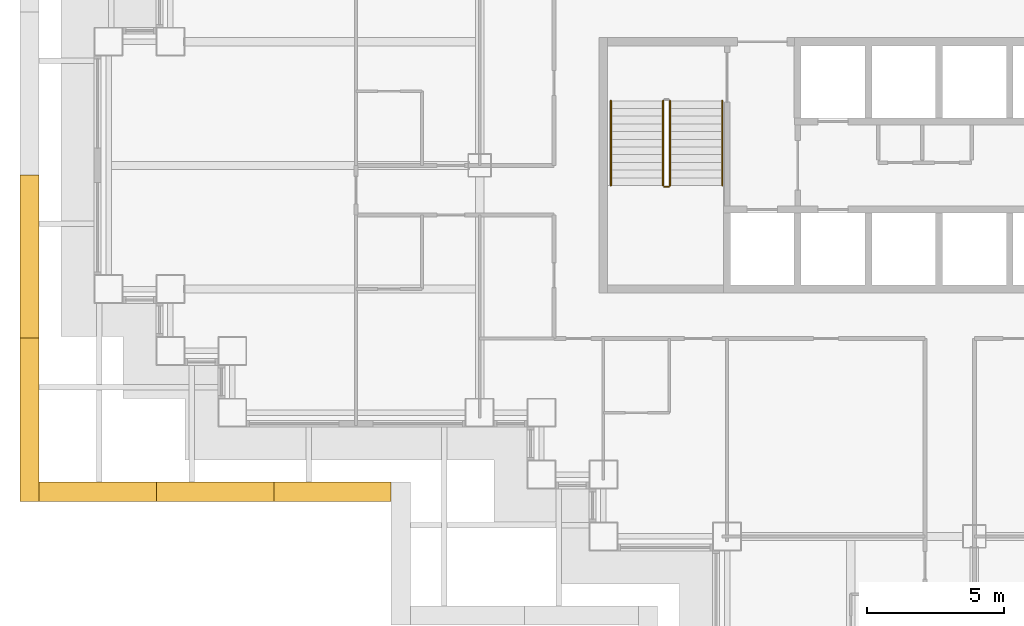
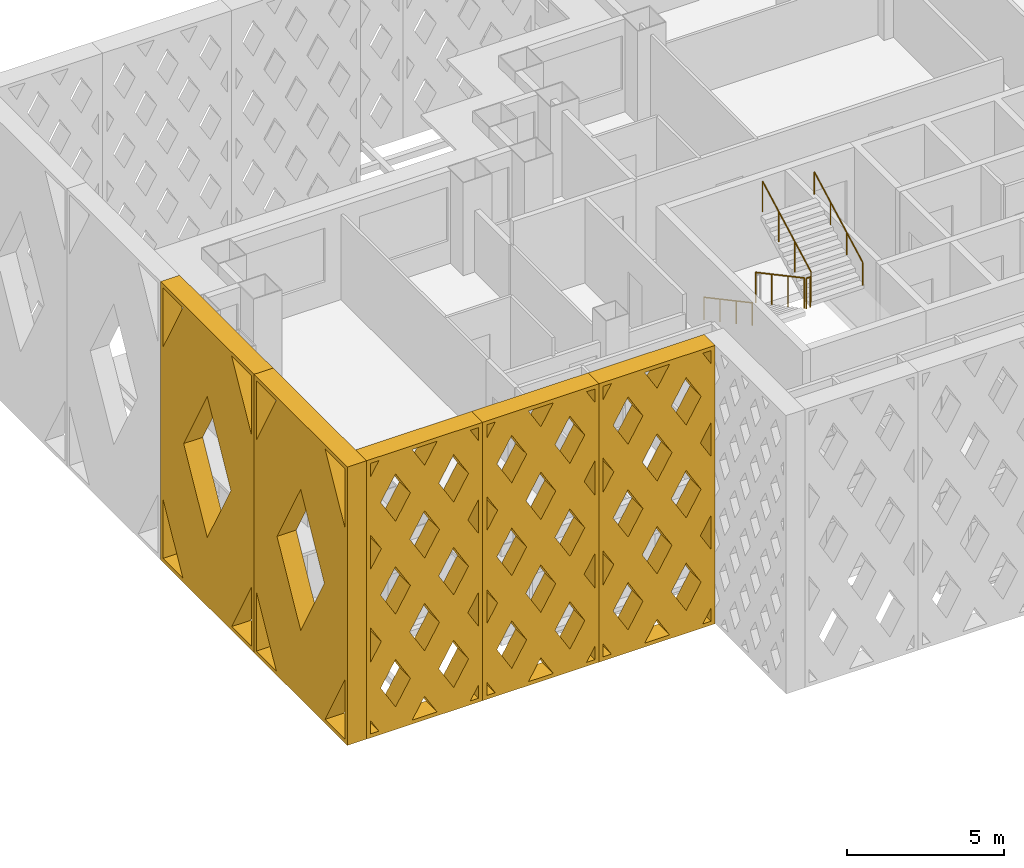
# One storey, part 14 of 19: 5 railings, 5 shading devices.
"""IFC4 building model written with IfcOpenShell, lengths in metres."""

from ifc_helpers import new_model, si_unit, direction, frame, origin, origin_2d, place, context, subcontext, project, spatial, polyline, circle, outline, extrude, material, type_object, element, save


model = new_model("IFC4")

# Units and contexts
model_context = context("Model", 3, precision=1e-05, world=origin(), true_north=direction((0.0, 1.0)))
body_context = subcontext(model_context, "Body", "Model", "MODEL_VIEW")
ifc_project = project(units=[si_unit("LENGTHUNIT", "METRE"), si_unit("AREAUNIT", "SQUARE_METRE"), si_unit("VOLUMEUNIT", "CUBIC_METRE"), si_unit("PLANEANGLEUNIT", "RADIAN"), si_unit("MASSUNIT", "GRAM", prefix="KILO")], contexts=[model_context])

# Site, building, storey
site_placement = place(None, origin())
site = spatial("IfcSite", under=ifc_project, at=site_placement, CompositionType="ELEMENT")
building_placement = place(site_placement, origin())
building = spatial("IfcBuilding", under=site, at=building_placement, Name="Caravel Reach Hotel and Residences", CompositionType="ELEMENT")
storey_placement = place(building_placement, frame((0.0, 0.0, 52.800048828125)))
storey = spatial("IfcBuildingStorey", under=building, at=storey_placement, Name="L11", CompositionType="ELEMENT", Elevation=52.800048828125)

# Shading devices
ifc_material_1 = material(Name="Black powder-coated aluminium", Category="aluminium")
shading_device_type_1 = type_object("IfcShadingDeviceType", Name="Diamond lattice screen panel 4267 x 10800", PredefinedType="USERDEFINED", material=ifc_material_1)
shading_device_1_placement = place(storey_placement, frame((-2.52490234375, 15.47509765625, 0.0), z_axis=(0.0, -1.0, 0.0), x_axis=(1.0, 0.0, 0.0)))
element("IfcShadingDevice", 1, at=shading_device_1_placement, inside=storey, type_object=shading_device_type_1, Name="Lattice screen L11-L13 18.1", ObjectType="SCREEN", PredefinedType="USERDEFINED", context=body_context, shape_type="SweptSolid", body=[
    extrude(outline(polyline([(0.0, 0.0), (4.2666015625, 0.0), (4.2666015625, 10.800048828125), (0.0, 10.800048828125), (0.0, 0.0)]), holes=[polyline([(0.457275390625, 0.14990234375), (0.14990234375, 0.66845703125), (0.14990234375, 0.14990234375), (0.457275390625, 0.14990234375)]), polyline([(0.546142578125, 3.60009765625), (0.14990234375, 4.2685546875), (0.14990234375, 2.931396484375), (0.546142578125, 3.60009765625)]), polyline([(0.546142578125, 7.199951171875), (0.14990234375, 7.868408203125), (0.14990234375, 6.531494140625), (0.546142578125, 7.199951171875)]), polyline([(0.14990234375, 10.131591796875), (0.457275390625, 10.64990234375), (0.14990234375, 10.64990234375), (0.14990234375, 10.131591796875)]), polyline([(1.066650390625, 2.7216796875), (0.5205078125, 1.800048828125), (1.066650390625, 0.87841796875), (1.61279296875, 1.800048828125), (1.066650390625, 2.7216796875)]), polyline([(1.066650390625, 6.321533203125), (0.5205078125, 5.39990234375), (1.066650390625, 4.478271484375), (1.61279296875, 5.39990234375), (1.066650390625, 6.321533203125)]), polyline([(1.066650390625, 9.921630859375), (0.5205078125, 9.0), (1.066650390625, 8.078369140625), (1.61279296875, 9.0), (1.066650390625, 9.921630859375)]), polyline([(2.13330078125, 0.921630859375), (1.676025390625, 0.14990234375), (2.590576171875, 0.14990234375), (2.13330078125, 0.921630859375)]), polyline([(2.13330078125, 4.521728515625), (1.587158203125, 3.60009765625), (2.13330078125, 2.678466796875), (2.679443359375, 3.60009765625), (2.13330078125, 4.521728515625)]), polyline([(2.13330078125, 8.12158203125), (1.587158203125, 7.199951171875), (2.13330078125, 6.2783203125), (2.679443359375, 7.199951171875), (2.13330078125, 8.12158203125)]), polyline([(2.13330078125, 9.87841796875), (2.590576171875, 10.64990234375), (1.676025390625, 10.64990234375), (2.13330078125, 9.87841796875)]), polyline([(3.199951171875, 2.7216796875), (2.65380859375, 1.800048828125), (3.199951171875, 0.87841796875), (3.74609375, 1.800048828125), (3.199951171875, 2.7216796875)]), polyline([(3.199951171875, 6.321533203125), (2.65380859375, 5.39990234375), (3.199951171875, 4.478271484375), (3.74609375, 5.39990234375), (3.199951171875, 6.321533203125)]), polyline([(3.199951171875, 9.921630859375), (2.65380859375, 9.0), (3.199951171875, 8.078369140625), (3.74609375, 9.0), (3.199951171875, 9.921630859375)]), polyline([(4.11669921875, 0.66845703125), (3.809326171875, 0.14990234375), (4.11669921875, 0.14990234375), (4.11669921875, 0.66845703125)]), polyline([(3.720458984375, 3.60009765625), (4.11669921875, 2.931396484375), (4.11669921875, 4.2685546875), (3.720458984375, 3.60009765625)]), polyline([(3.720458984375, 7.199951171875), (4.11669921875, 6.531494140625), (4.11669921875, 7.868408203125), (3.720458984375, 7.199951171875)]), polyline([(3.809326171875, 10.64990234375), (4.11669921875, 10.131591796875), (4.11669921875, 10.64990234375), (3.809326171875, 10.64990234375)])]), origin(), (0.0, 0.0, 1.0), 0.7001953125),
])
shading_device_2_placement = place(storey_placement, frame((1.74169921875, 15.47509765625, 0.0), z_axis=(0.0, -1.0, 0.0), x_axis=(1.0, 0.0, 0.0)))
element("IfcShadingDevice", 2, at=shading_device_2_placement, inside=storey, type_object=shading_device_type_1, Name="Lattice screen L11-L13 18.2", ObjectType="SCREEN", PredefinedType="USERDEFINED", context=body_context, shape_type="SweptSolid", body=[
    extrude(outline(polyline([(0.0, 0.0), (4.2666015625, 0.0), (4.2666015625, 10.800048828125), (0.0, 10.800048828125), (0.0, 0.0)]), holes=[polyline([(0.457275390625, 0.14990234375), (0.14990234375, 0.66845703125), (0.14990234375, 0.14990234375), (0.457275390625, 0.14990234375)]), polyline([(0.546142578125, 3.60009765625), (0.14990234375, 4.2685546875), (0.14990234375, 2.931396484375), (0.546142578125, 3.60009765625)]), polyline([(0.546142578125, 7.199951171875), (0.14990234375, 7.868408203125), (0.14990234375, 6.531494140625), (0.546142578125, 7.199951171875)]), polyline([(0.14990234375, 10.131591796875), (0.457275390625, 10.64990234375), (0.14990234375, 10.64990234375), (0.14990234375, 10.131591796875)]), polyline([(1.066650390625, 2.7216796875), (0.5205078125, 1.800048828125), (1.066650390625, 0.87841796875), (1.61279296875, 1.800048828125), (1.066650390625, 2.7216796875)]), polyline([(1.066650390625, 6.321533203125), (0.5205078125, 5.39990234375), (1.066650390625, 4.478271484375), (1.61279296875, 5.39990234375), (1.066650390625, 6.321533203125)]), polyline([(1.066650390625, 9.921630859375), (0.5205078125, 9.0), (1.066650390625, 8.078369140625), (1.61279296875, 9.0), (1.066650390625, 9.921630859375)]), polyline([(2.13330078125, 0.921630859375), (1.676025390625, 0.14990234375), (2.590576171875, 0.14990234375), (2.13330078125, 0.921630859375)]), polyline([(2.13330078125, 4.521728515625), (1.587158203125, 3.60009765625), (2.13330078125, 2.678466796875), (2.679443359375, 3.60009765625), (2.13330078125, 4.521728515625)]), polyline([(2.13330078125, 8.12158203125), (1.587158203125, 7.199951171875), (2.13330078125, 6.2783203125), (2.679443359375, 7.199951171875), (2.13330078125, 8.12158203125)]), polyline([(2.13330078125, 9.87841796875), (2.590576171875, 10.64990234375), (1.676025390625, 10.64990234375), (2.13330078125, 9.87841796875)]), polyline([(3.199951171875, 2.7216796875), (2.65380859375, 1.800048828125), (3.199951171875, 0.87841796875), (3.74609375, 1.800048828125), (3.199951171875, 2.7216796875)]), polyline([(3.199951171875, 6.321533203125), (2.65380859375, 5.39990234375), (3.199951171875, 4.478271484375), (3.74609375, 5.39990234375), (3.199951171875, 6.321533203125)]), polyline([(3.199951171875, 9.921630859375), (2.65380859375, 9.0), (3.199951171875, 8.078369140625), (3.74609375, 9.0), (3.199951171875, 9.921630859375)]), polyline([(4.11669921875, 0.66845703125), (3.809326171875, 0.14990234375), (4.11669921875, 0.14990234375), (4.11669921875, 0.66845703125)]), polyline([(3.720458984375, 3.60009765625), (4.11669921875, 2.931396484375), (4.11669921875, 4.2685546875), (3.720458984375, 3.60009765625)]), polyline([(3.720458984375, 7.199951171875), (4.11669921875, 6.531494140625), (4.11669921875, 7.868408203125), (3.720458984375, 7.199951171875)]), polyline([(3.809326171875, 10.64990234375), (4.11669921875, 10.131591796875), (4.11669921875, 10.64990234375), (3.809326171875, 10.64990234375)])]), origin(), (0.0, 0.0, 1.0), 0.7001953125),
])
shading_device_3_placement = place(storey_placement, frame((6.00830078125, 15.47509765625, 0.0), z_axis=(0.0, -1.0, 0.0), x_axis=(1.0, 0.0, 0.0)))
element("IfcShadingDevice", 3, at=shading_device_3_placement, inside=storey, type_object=shading_device_type_1, Name="Lattice screen L11-L13 18.3", ObjectType="SCREEN", PredefinedType="USERDEFINED", context=body_context, shape_type="SweptSolid", body=[
    extrude(outline(polyline([(0.0, 0.0), (4.2666015625, 0.0), (4.2666015625, 10.800048828125), (0.0, 10.800048828125), (0.0, 0.0)]), holes=[polyline([(0.457275390625, 0.14990234375), (0.14990234375, 0.66845703125), (0.14990234375, 0.14990234375), (0.457275390625, 0.14990234375)]), polyline([(0.546142578125, 3.60009765625), (0.14990234375, 4.2685546875), (0.14990234375, 2.931396484375), (0.546142578125, 3.60009765625)]), polyline([(0.546142578125, 7.199951171875), (0.14990234375, 7.868408203125), (0.14990234375, 6.531494140625), (0.546142578125, 7.199951171875)]), polyline([(0.14990234375, 10.131591796875), (0.457275390625, 10.64990234375), (0.14990234375, 10.64990234375), (0.14990234375, 10.131591796875)]), polyline([(1.066650390625, 2.7216796875), (0.5205078125, 1.800048828125), (1.066650390625, 0.87841796875), (1.61279296875, 1.800048828125), (1.066650390625, 2.7216796875)]), polyline([(1.066650390625, 6.321533203125), (0.5205078125, 5.39990234375), (1.066650390625, 4.478271484375), (1.61279296875, 5.39990234375), (1.066650390625, 6.321533203125)]), polyline([(1.066650390625, 9.921630859375), (0.5205078125, 9.0), (1.066650390625, 8.078369140625), (1.61279296875, 9.0), (1.066650390625, 9.921630859375)]), polyline([(2.13330078125, 0.921630859375), (1.676025390625, 0.14990234375), (2.590576171875, 0.14990234375), (2.13330078125, 0.921630859375)]), polyline([(2.13330078125, 4.521728515625), (1.587158203125, 3.60009765625), (2.13330078125, 2.678466796875), (2.679443359375, 3.60009765625), (2.13330078125, 4.521728515625)]), polyline([(2.13330078125, 8.12158203125), (1.587158203125, 7.199951171875), (2.13330078125, 6.2783203125), (2.679443359375, 7.199951171875), (2.13330078125, 8.12158203125)]), polyline([(2.13330078125, 9.87841796875), (2.590576171875, 10.64990234375), (1.676025390625, 10.64990234375), (2.13330078125, 9.87841796875)]), polyline([(3.199951171875, 2.7216796875), (2.65380859375, 1.800048828125), (3.199951171875, 0.87841796875), (3.74609375, 1.800048828125), (3.199951171875, 2.7216796875)]), polyline([(3.199951171875, 6.321533203125), (2.65380859375, 5.39990234375), (3.199951171875, 4.478271484375), (3.74609375, 5.39990234375), (3.199951171875, 6.321533203125)]), polyline([(3.199951171875, 9.921630859375), (2.65380859375, 9.0), (3.199951171875, 8.078369140625), (3.74609375, 9.0), (3.199951171875, 9.921630859375)]), polyline([(4.11669921875, 0.66845703125), (3.809326171875, 0.14990234375), (4.11669921875, 0.14990234375), (4.11669921875, 0.66845703125)]), polyline([(3.720458984375, 3.60009765625), (4.11669921875, 2.931396484375), (4.11669921875, 4.2685546875), (3.720458984375, 3.60009765625)]), polyline([(3.720458984375, 7.199951171875), (4.11669921875, 6.531494140625), (4.11669921875, 7.868408203125), (3.720458984375, 7.199951171875)]), polyline([(3.809326171875, 10.64990234375), (4.11669921875, 10.131591796875), (4.11669921875, 10.64990234375), (3.809326171875, 10.64990234375)])]), origin(), (0.0, 0.0, 1.0), 0.7001953125),
])
ifc_material_2 = material(Name="Black powder-coated aluminium", Category="aluminium")
shading_device_type_2 = type_object("IfcShadingDeviceType", Name="Diamond lattice screen panel 5937 x 10800", PredefinedType="USERDEFINED", material=ifc_material_2)
for number, where, z_axis, x_axis, name in (
    (4, (-2.52490234375, 26.64990234375, 0.0), (-1.0, 0.0, 0.0), (0.0, -1.0, 0.0), "Lattice screen L11-L13 17.3"),
    (5, (-2.52490234375, 20.71240234375, 0.0), (-1.0, 0.0, 0.0), (0.0, -1.0, 0.0), "Lattice screen L11-L13 17.4"),
):
    element("IfcShadingDevice", number, at=place(storey_placement, frame(where, z_axis=z_axis, x_axis=x_axis)), inside=storey, type_object=shading_device_type_2, Name=name, ObjectType="SCREEN", PredefinedType="USERDEFINED", context=body_context, shape_type="SweptSolid", body=[
        extrude(outline(polyline([(0.0, 0.0), (5.9375, 0.0), (5.9375, 10.800048828125), (0.0, 10.800048828125), (0.0, 0.0)]), holes=[polyline([(1.42138671875, 0.14990234375), (0.14990234375, 2.462646484375), (0.14990234375, 0.14990234375), (1.42138671875, 0.14990234375)]), polyline([(0.14990234375, 8.33740234375), (1.42138671875, 10.64990234375), (0.14990234375, 10.64990234375), (0.14990234375, 8.33740234375)]), polyline([(2.96875, 8.135498046875), (1.46484375, 5.39990234375), (2.96875, 2.66455078125), (4.47265625, 5.39990234375), (2.96875, 8.135498046875)]), polyline([(5.78759765625, 2.462646484375), (4.51611328125, 0.14990234375), (5.78759765625, 0.14990234375), (5.78759765625, 2.462646484375)]), polyline([(4.51611328125, 10.64990234375), (5.78759765625, 8.33740234375), (5.78759765625, 10.64990234375), (4.51611328125, 10.64990234375)])]), origin(), (0.0, 0.0, 1.0), 0.7001953125),
    ])

# Railings
ifc_material_3 = material(Name="Steel balustrade with glass infill", Category="steel")
railing_type_1 = type_object("IfcRailingType", Name="Guard 1200", PredefinedType="GUARDRAIL", material=ifc_material_3)
railing_1_placement = place(storey_placement, frame((20.175048828125, 29.35009765625, 0.14990234375)))
element("IfcRailing", 6, at=railing_1_placement, inside=storey, type_object=railing_type_1, Name="L11 ST-A stair guard 1", PredefinedType="GUARDRAIL", context=body_context, shape_type="SweptSolid", body=[
    extrude(circle(Radius=0.02392578125, at=origin_2d()), frame((0.0, 0.0, 1.17578125), z_axis=(0.0, -0.881467505477, 0.472244678941), x_axis=(1.0, 0.0, 0.0)), (0.0, 0.0, 1.0), 3.494140625),
    extrude(circle(Radius=0.02099609375, at=origin_2d()), origin(), (0.0, 0.0, 1.0), 1.15185546875),
    extrude(circle(Radius=0.02099609375, at=origin_2d()), frame((0.0, -1.026611328125, 0.550048828125)), (0.0, 0.0, 1.0), 1.15185546875),
    extrude(circle(Radius=0.02099609375, at=origin_2d()), frame((0.0, -2.053466796875, 1.10009765625)), (0.0, 0.0, 1.0), 1.15185546875),
    extrude(circle(Radius=0.02099609375, at=origin_2d()), frame((0.0, -3.080078125, 1.650146484375)), (0.0, 0.0, 1.0), 1.15185546875),
])
railing_2_placement = place(storey_placement, frame((20.22509765625, 26.219970703125, 1.800048828125)))
element("IfcRailing", 7, at=railing_2_placement, inside=storey, type_object=railing_type_1, Name="L11 ST-A stair guard 2", PredefinedType="GUARDRAIL", context=body_context, shape_type="SweptSolid", body=[
    extrude(circle(Radius=0.02392578125, at=origin_2d()), frame((0.0, 0.0, 1.17578125), z_axis=(1.0, 0.0, 0.0), x_axis=(0.0, 1.0, 0.0)), (0.0, 0.0, 1.0), 0.14990234375),
    extrude(circle(Radius=0.02099609375, at=origin_2d()), origin(), (0.0, 0.0, 1.0), 1.15185546875),
    extrude(circle(Radius=0.02099609375, at=origin_2d()), frame((0.14990234375, 0.0, 0.0)), (0.0, 0.0, 1.0), 1.15185546875),
])
railing_3_placement = place(storey_placement, frame((20.425048828125, 26.27001953125, 1.949951171875)))
element("IfcRailing", 8, at=railing_3_placement, inside=storey, type_object=railing_type_1, Name="L11 ST-A stair guard 3", PredefinedType="GUARDRAIL", context=body_context, shape_type="SweptSolid", body=[
    extrude(circle(Radius=0.02392578125, at=origin_2d()), frame((0.0, 0.0, 1.17578125), z_axis=(0.0, 0.881496589024, 0.472190389079), x_axis=(-1.0, 0.0, 0.0)), (0.0, 0.0, 1.0), 3.494140625),
    extrude(circle(Radius=0.02099609375, at=origin_2d()), origin(), (0.0, 0.0, 1.0), 1.15185546875),
    extrude(circle(Radius=0.02099609375, at=origin_2d()), frame((0.0, 1.026611328125, 0.550048828125)), (0.0, 0.0, 1.0), 1.15185546875),
    extrude(circle(Radius=0.02099609375, at=origin_2d()), frame((0.0, 2.053466796875, 1.099853515625)), (0.0, 0.0, 1.0), 1.15185546875),
    extrude(circle(Radius=0.02099609375, at=origin_2d()), frame((0.0, 3.080078125, 1.64990234375)), (0.0, 0.0, 1.0), 1.15185546875),
])
ifc_material_4 = material(Name="Stainless steel handrail", Category="steel")
railing_type_2 = type_object("IfcRailingType", Name="Handrail 900", PredefinedType="HANDRAIL", material=ifc_material_4)
railing_4_placement = place(storey_placement, frame((18.27490234375, 29.35009765625, 0.14990234375)))
element("IfcRailing", 9, at=railing_4_placement, inside=storey, type_object=railing_type_2, Name="L11 ST-A stair handrail 1", PredefinedType="HANDRAIL", context=body_context, shape_type="SweptSolid", body=[
    extrude(circle(Radius=0.02392578125, at=origin_2d()), frame((0.0, 0.0, 0.8759765625), z_axis=(0.0, -0.881467505477, 0.472244678941), x_axis=(1.0, 0.0, 0.0)), (0.0, 0.0, 1.0), 3.494140625),
    extrude(circle(Radius=0.02099609375, at=origin_2d()), origin(), (0.0, 0.0, 1.0), 0.851806640625),
    extrude(circle(Radius=0.02099609375, at=origin_2d()), frame((0.0, -1.026611328125, 0.550048828125)), (0.0, 0.0, 1.0), 0.851806640625),
    extrude(circle(Radius=0.02099609375, at=origin_2d()), frame((0.0, -2.053466796875, 1.10009765625)), (0.0, 0.0, 1.0), 0.851806640625),
    extrude(circle(Radius=0.02099609375, at=origin_2d()), frame((0.0, -3.080078125, 1.650146484375)), (0.0, 0.0, 1.0), 0.851806640625),
])
railing_5_placement = place(storey_placement, frame((22.324951171875, 26.27001953125, 1.949951171875)))
element("IfcRailing", 10, at=railing_5_placement, inside=storey, type_object=railing_type_2, Name="L11 ST-A stair handrail 2", PredefinedType="HANDRAIL", context=body_context, shape_type="SweptSolid", body=[
    extrude(circle(Radius=0.02392578125, at=origin_2d()), frame((0.0, 0.0, 0.8759765625), z_axis=(0.0, 0.881496589024, 0.472190389079), x_axis=(-1.0, 0.0, 0.0)), (0.0, 0.0, 1.0), 3.494140625),
    extrude(circle(Radius=0.02099609375, at=origin_2d()), origin(), (0.0, 0.0, 1.0), 0.851806640625),
    extrude(circle(Radius=0.02099609375, at=origin_2d()), frame((0.0, 1.026611328125, 0.550048828125)), (0.0, 0.0, 1.0), 0.851806640625),
    extrude(circle(Radius=0.02099609375, at=origin_2d()), frame((0.0, 2.053466796875, 1.099853515625)), (0.0, 0.0, 1.0), 0.851806640625),
    extrude(circle(Radius=0.02099609375, at=origin_2d()), frame((0.0, 3.080078125, 1.64990234375)), (0.0, 0.0, 1.0), 0.851806640625),
])

save(model, "model.ifc")
